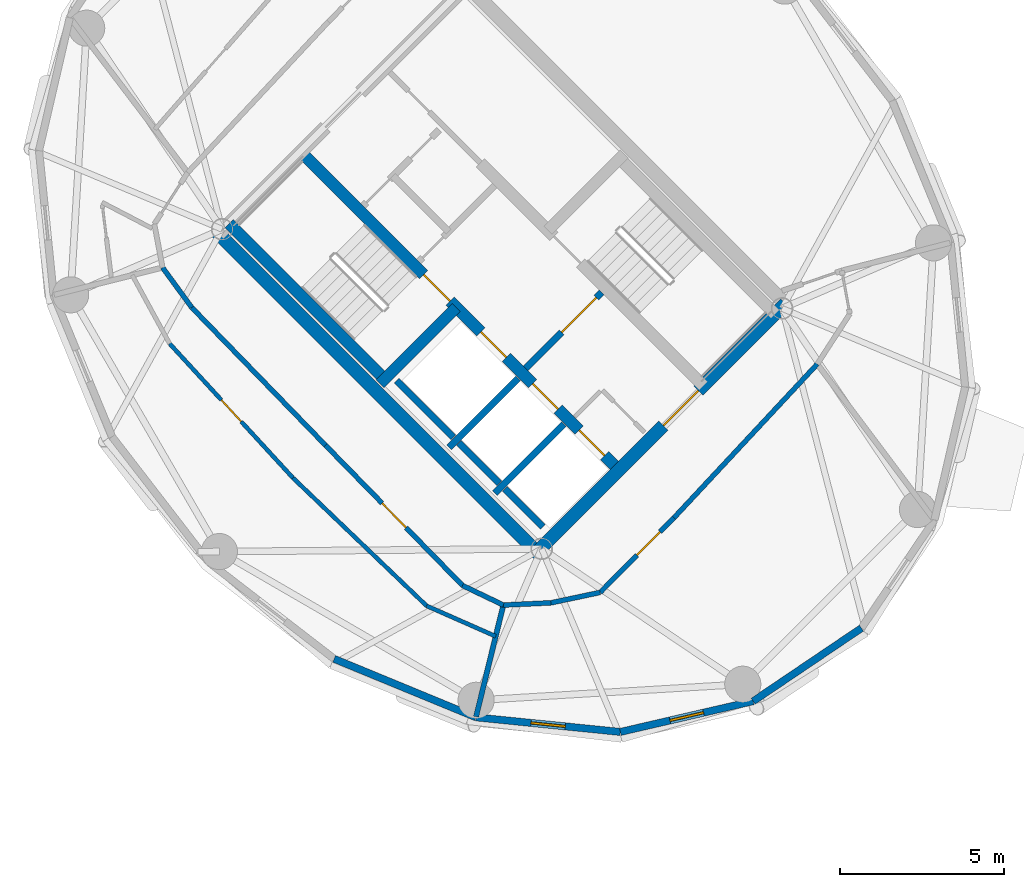
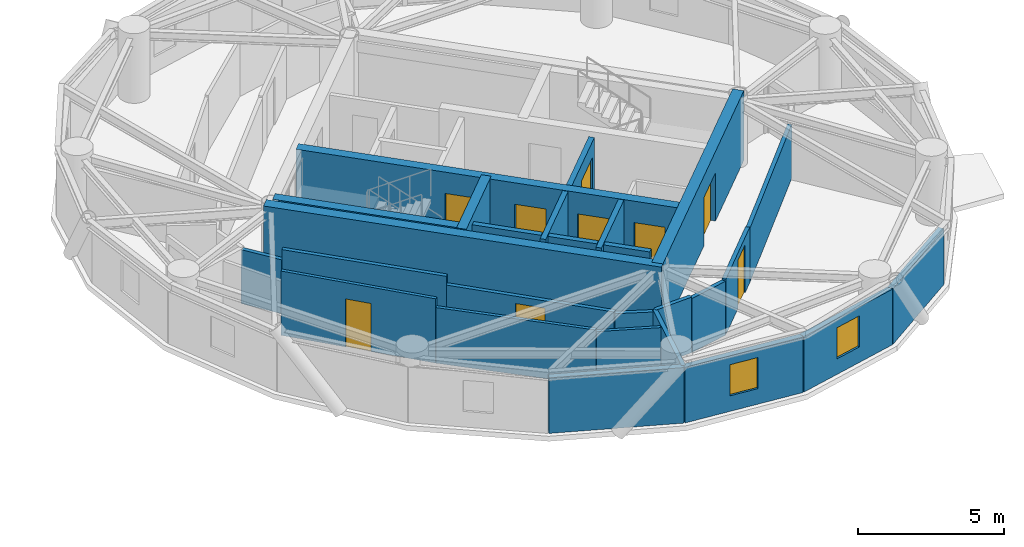
# One storey, part 10 of 16: 27 walls, 9 doors, 2 windows, 11 openings.
"""IFC4 building model written with IfcOpenShell, lengths in metres."""

from ifc_helpers import new_model, si_unit, direction, frame, frame_2d, origin, place, context, subcontext, project, spatial, rectangle, extrude, source, transform, mapped, material, layer, layer_set, type_object, element, fill, save


model = new_model("IFC4")

# Units and contexts
model_context = context("Model", 3, precision=1e-05, world=origin(), true_north=direction((0.0, 1.0)))
body_context = subcontext(model_context, "Body", "Model", "MODEL_VIEW")
ifc_project = project(units=[si_unit("LENGTHUNIT", "METRE"), si_unit("AREAUNIT", "SQUARE_METRE"), si_unit("VOLUMEUNIT", "CUBIC_METRE"), si_unit("PLANEANGLEUNIT", "RADIAN"), si_unit("MASSUNIT", "GRAM", prefix="KILO")], contexts=[model_context])

# Site, building, storey
site_placement = place(None, origin())
site = spatial("IfcSite", under=ifc_project, at=site_placement, CompositionType="ELEMENT")
building_placement = place(site_placement, origin())
building = spatial("IfcBuilding", under=site, at=building_placement, Name="Cununo Teusaquillo Station Towers", CompositionType="ELEMENT")
storey_placement = place(building_placement, frame((0.0, 0.0, 217.030029296875)))
storey = spatial("IfcBuildingStorey", under=building, at=storey_placement, Name="L69", CompositionType="ELEMENT", Elevation=217.030029296875)

# Walls
ifc_material_1 = material(Name="Concrete C50/60", Category="concrete")
ifc_layer_1 = layer(ifc_material_1, 0.199951171875)
ifc_layer_set_1 = layer_set([ifc_layer_1], Name="Concrete C50/60")
wall_type_1 = type_object("IfcWallType", Name="WL-CORE-200", PredefinedType="SHEAR", material=ifc_layer_set_1)
wall_1_placement = place(storey_placement, frame((55.8876953125, 19.0693359375, 0.0), z_axis=(0.0, 0.0, 1.0), x_axis=(0.707106781187, 0.707106781187, 0.0)))
element("IfcWall", 1, at=wall_1_placement, inside=storey, type_object=wall_type_1, Name="L69 Tower B Firefighting Lift Shaft South Shear Wall", PredefinedType="SHEAR", context=body_context, shape_type="SweptSolid", body=[
    extrude(rectangle(XDim=2.969970703125, YDim=0.199951171875, at=frame_2d((1.48486328125, 0.0))), origin(), (0.0, 0.0, 1.0), 2.909912109375),
])
wall_2_placement = place(storey_placement, frame((56.01513671875, 19.366455078125, 0.0), z_axis=(0.0, 0.0, 1.0), x_axis=(-0.707106781187, 0.707106781187, 0.0)))
element("IfcWall", 2, at=wall_2_placement, inside=storey, type_object=wall_type_1, Name="L69 Tower B Firefighting Lift Shaft Rear Shear Wall", PredefinedType="SHEAR", context=body_context, shape_type="SweptSolid", body=[
    extrude(rectangle(XDim=2.43994140625, YDim=0.199951171875, at=frame_2d((1.219970703125, 0.0))), origin(), (0.0, 0.0, 1.0), 2.909912109375),
])
wall_3_placement = place(storey_placement, frame((57.2841796875, 17.6728515625, 0.0), z_axis=(0.0, 0.0, 1.0), x_axis=(0.707147878904, 0.70706568108, 0.0)))
element("IfcWall", 3, at=wall_3_placement, inside=storey, type_object=wall_type_1, Name="L69 Tower B High-Rise Lift Hoistway Divider Shear Wall", PredefinedType="SHEAR", context=body_context, shape_type="SweptSolid", body=[
    extrude(rectangle(XDim=2.97021484375, YDim=0.199951171875, at=frame_2d((1.485107421875, 0.0))), origin(), (0.0, 0.0, 1.0), 2.909912109375),
])
wall_4_placement = place(storey_placement, frame((57.41162109375, 17.969970703125, 0.0), z_axis=(0.0, 0.0, 1.0), x_axis=(-0.707106781187, 0.707106781187, 0.0)))
element("IfcWall", 4, at=wall_4_placement, inside=storey, type_object=wall_type_1, Name="L69 Tower B High-Rise Lift 2 Shaft Rear Shear Wall", PredefinedType="SHEAR", context=body_context, shape_type="SweptSolid", body=[
    extrude(rectangle(XDim=1.73486328125, YDim=0.199951171875, at=frame_2d((0.867431640625, 0.0))), origin(), (0.0, 0.0, 1.0), 2.909912109375),
])
wall_5_placement = place(storey_placement, frame((58.7373046875, 16.64404296875, 0.0), z_axis=(0.0, 0.0, 1.0), x_axis=(-0.707032117043, 0.707181437447, 0.0)))
element("IfcWall", 5, at=wall_5_placement, inside=storey, type_object=wall_type_1, Name="L69 Tower B High-Rise Lift 1 Shaft Rear Shear Wall", PredefinedType="SHEAR", context=body_context, shape_type="SweptSolid", body=[
    extrude(rectangle(XDim=1.635009765625, YDim=0.199951171875, at=frame_2d((0.8173828125, 0.0))), origin(), (0.0, 0.0, 1.0), 2.909912109375),
])

# Wall, openings, doors
ifc_material_2 = material(Name="Concrete C50/60", Category="concrete")
ifc_layer_2 = layer(ifc_material_2, 0.35009765625)
ifc_layer_set_2 = layer_set([ifc_layer_2], Name="Concrete C50/60")
wall_type_2 = type_object("IfcWallType", Name="WL-CORE-350", PredefinedType="SHEAR", material=ifc_layer_set_2)
wall_6_placement = place(storey_placement, frame((61.060302734375, 18.372802734375, 0.0), z_axis=(0.0, 0.0, 1.0), x_axis=(-0.707106781187, 0.707106781187, 0.0)))
wall_6 = element("IfcWall", 6, at=wall_6_placement, inside=storey, type_object=wall_type_2, Name="L69 Tower B Core Shear Wall IW", PredefinedType="SHEAR", context=body_context, shape_type="SweptSolid", body=[
    extrude(rectangle(XDim=13.7001953125, YDim=0.35009765625, at=frame_2d((6.85009765625, 0.0))), origin(), (0.0, 0.0, 1.0), 2.909912109375),
])
shared_shape_1 = source(origin(), body_context, "Body", "SweptSolid", [
    extrude(rectangle(XDim=1.10009765625, YDim=2.014892578125, at=frame_2d((0.550048828125, 1.00732421875))), frame((0.0, 0.18505859375, 0.0), z_axis=(0.0, -1.0, 0.0), x_axis=(1.0, 0.0, 0.0)), (0.0, 0.0, 1.0), 0.3701171875),
])
opening_1_placement = place(wall_6_placement, frame((4.85009765625, 0.0, 0.0)))
opening_1 = element("IfcOpeningElement", 7, at=opening_1_placement, cuts=wall_6, Name="Opening LD-01", PredefinedType="OPENING", context=body_context, shape_type="MappedRepresentation", body=[
    mapped(shared_shape_1, transform((0.0, 0.0, 0.0), x_axis=(1.0, 0.0, 0.0), y_axis=(0.0, 1.0, 0.0), z_axis=(0.0, 0.0, 1.0), scale=1.0)),
])
opening_2_placement = place(wall_6_placement, frame((0.625, 0.0, 0.0)))
opening_2 = element("IfcOpeningElement", 8, at=opening_2_placement, cuts=wall_6, Name="Opening LD-01", PredefinedType="OPENING", context=body_context, shape_type="MappedRepresentation", body=[
    mapped(shared_shape_1, transform((0.0, 0.0, 0.0), x_axis=(1.0, 0.0, 0.0), y_axis=(0.0, 1.0, 0.0), z_axis=(0.0, 0.0, 1.0), scale=1.0)),
])
opening_3_placement = place(wall_6_placement, frame((2.625, 0.0, 0.0)))
opening_3 = element("IfcOpeningElement", 9, at=opening_3_placement, cuts=wall_6, Name="Opening LD-01", PredefinedType="OPENING", context=body_context, shape_type="MappedRepresentation", body=[
    mapped(shared_shape_1, transform((0.0, 0.0, 0.0), x_axis=(1.0, 0.0, 0.0), y_axis=(0.0, 1.0, 0.0), z_axis=(0.0, 0.0, 1.0), scale=1.0)),
])
shared_shape_2 = source(origin(), body_context, "Body", "SweptSolid", [
    extrude(rectangle(XDim=1.14990234375, YDim=2.02001953125, at=frame_2d((0.574951171875, 1.010009765625))), frame((0.0, 0.18505859375, 0.0), z_axis=(0.0, -1.0, 0.0), x_axis=(1.0, 0.0, 0.0)), (0.0, 0.0, 1.0), 0.3701171875),
])
opening_4_placement = place(wall_6_placement, frame((7.27001953125, 0.0, 0.0)))
opening_4 = element("IfcOpeningElement", 10, at=opening_4_placement, cuts=wall_6, Name="Opening D-ST1", PredefinedType="OPENING", context=body_context, shape_type="MappedRepresentation", body=[
    mapped(shared_shape_2, transform((0.0, 0.0, 0.0), x_axis=(1.0, 0.0, 0.0), y_axis=(0.0, 1.0, 0.0), z_axis=(0.0, 0.0, 1.0), scale=1.0)),
])
ifc_material_3 = material(Name="Galvanised fire-rated hollow steel door assembly", Category="steel")
door_type_1 = type_object("IfcDoorType", Name="DR-LIFT-1100", OperationType="SLIDING_TO_LEFT", PredefinedType="DOOR", material=ifc_material_3)
shared_shape_3 = source(origin(), body_context, "Body", "SweptSolid", [
    extrude(rectangle(XDim=1.10009765625, YDim=2.014892578125, at=frame_2d((0.550048828125, 1.00732421875))), frame((0.0, 0.02490234375, 0.0), z_axis=(0.0, -1.0, 0.0), x_axis=(1.0, 0.0, 0.0)), (0.0, 0.0, 1.0), 0.050048828125),
])
door_1_placement = place(opening_1_placement, origin())
door_1 = element("IfcDoor", 11, at=door_1_placement, inside=storey, type_object=door_type_1, Name="L69 Lift FL-T2 Sliding Landing Door", OperationType="SLIDING_TO_LEFT", OverallHeight=2.014892578125, OverallWidth=1.10009765625, PredefinedType="DOOR", context=body_context, shape_type="MappedRepresentation", body=[
    mapped(shared_shape_3, transform((0.0, 0.0, 0.0), x_axis=(1.0, 0.0, 0.0), y_axis=(0.0, 1.0, 0.0), z_axis=(0.0, 0.0, 1.0), scale=1.0)),
])
fill(opening_1, door_1)
door_2_placement = place(opening_2_placement, origin())
door_2 = element("IfcDoor", 12, at=door_2_placement, inside=storey, type_object=door_type_1, Name="L69 Lift PL-T2-H1 Sliding Landing Door", OperationType="SLIDING_TO_LEFT", OverallHeight=2.014892578125, OverallWidth=1.10009765625, PredefinedType="DOOR", context=body_context, shape_type="MappedRepresentation", body=[
    mapped(shared_shape_3, transform((0.0, 0.0, 0.0), x_axis=(1.0, 0.0, 0.0), y_axis=(0.0, 1.0, 0.0), z_axis=(0.0, 0.0, 1.0), scale=1.0)),
])
fill(opening_2, door_2)
door_3_placement = place(opening_3_placement, origin())
door_3 = element("IfcDoor", 13, at=door_3_placement, inside=storey, type_object=door_type_1, Name="L69 Lift PL-T2-H2 Sliding Landing Door", OperationType="SLIDING_TO_RIGHT", OverallHeight=2.014892578125, OverallWidth=1.10009765625, PredefinedType="DOOR", context=body_context, shape_type="MappedRepresentation", body=[
    mapped(shared_shape_3, transform((0.0, 0.0, 0.0), x_axis=(1.0, 0.0, 0.0), y_axis=(0.0, 1.0, 0.0), z_axis=(0.0, 0.0, 1.0), scale=1.0)),
])
fill(opening_3, door_3)
ifc_material_4 = material(Name="Galvanised fire-rated hollow steel door assembly", Category="steel")
door_type_2 = type_object("IfcDoorType", Name="DR-STAIR-1150", OperationType="NOTDEFINED", PredefinedType="DOOR", material=ifc_material_4)
shared_shape_4 = source(origin(), body_context, "Body", "SweptSolid", [
    extrude(rectangle(XDim=1.14990234375, YDim=2.02001953125, at=frame_2d((0.574951171875, 1.010009765625))), frame((0.0, 0.02490234375, 0.0), z_axis=(0.0, -1.0, 0.0), x_axis=(1.0, 0.0, 0.0)), (0.0, 0.0, 1.0), 0.050048828125),
])
door_4_placement = place(opening_4_placement, origin())
door_4 = element("IfcDoor", 14, at=door_4_placement, inside=storey, type_object=door_type_2, Name="L69 Tower B Exit Stair 1 Fire Door", OperationType="SINGLE_SWING_LEFT", OverallHeight=2.02001953125, OverallWidth=1.14990234375, PredefinedType="DOOR", context=body_context, shape_type="MappedRepresentation", body=[
    mapped(shared_shape_4, transform((0.0, 0.0, 0.0), x_axis=(1.0, 0.0, 0.0), y_axis=(0.0, 1.0, 0.0), z_axis=(0.0, 0.0, 1.0), scale=1.0)),
])
fill(opening_4, door_4)

# Walls
wall_7_placement = place(storey_placement, frame((53.922119140625, 21.14111328125, 0.0), z_axis=(0.0, 0.0, 1.0), x_axis=(-0.707106781187, 0.707106781187, 0.0)))
element("IfcWall", 15, at=wall_7_placement, inside=storey, type_object=wall_type_2, Name="L69 Tower B Core Shear Wall ST1W", PredefinedType="SHEAR", context=body_context, shape_type="SweptSolid", body=[
    extrude(rectangle(XDim=6.695068359375, YDim=0.35009765625, at=frame_2d((3.34765625, 0.0))), origin(), (0.0, 0.0, 1.0), 2.909912109375),
])
wall_8_placement = place(storey_placement, frame((53.7841796875, 21.00341796875, 0.0), z_axis=(0.0, 0.0, 1.0), x_axis=(0.707106781187, 0.707106781187, 0.0)))
element("IfcWall", 16, at=wall_8_placement, inside=storey, type_object=wall_type_2, Name="L69 Tower B Core Shear Wall ST1S", PredefinedType="SHEAR", context=body_context, shape_type="SweptSolid", body=[
    extrude(rectangle(XDim=3.284912109375, YDim=0.35009765625, at=frame_2d((1.642578125, 0.0))), origin(), (0.0, 0.0, 1.0), 2.909912109375),
])
ifc_material_5 = material(Name="Concrete C50/60", Category="concrete")
ifc_layer_3 = layer(ifc_material_5, 0.39990234375)
ifc_layer_set_3 = layer_set([ifc_layer_3], Name="Concrete C50/60")
wall_type_3 = type_object("IfcWallType", Name="WL-CORE-400", PredefinedType="SHEAR", material=ifc_layer_set_3)
wall_9_placement = place(storey_placement, frame((58.7021484375, 15.73193359375, 0.0), z_axis=(0.0, 0.0, 1.0), x_axis=(-0.707106781187, 0.707106781187, 0.0)))
element("IfcWall", 17, at=wall_9_placement, inside=storey, type_object=wall_type_3, Name="L69 Tower B Core Shear Wall W", PredefinedType="SHEAR", context=body_context, shape_type="SweptSolid", body=[
    extrude(rectangle(XDim=14.10009765625, YDim=0.39990234375, at=frame_2d((7.050048828125, 0.0))), origin(), (0.0, 0.0, 1.0), 2.909912109375),
])

# Wall, opening, door
wall_10_placement = place(storey_placement, frame((58.560791015625, 15.873291015625, 0.0), z_axis=(0.0, 0.0, 1.0), x_axis=(0.707106781187, 0.707106781187, 0.0)))
wall_10 = element("IfcWall", 18, at=wall_10_placement, inside=storey, type_object=wall_type_3, Name="L69 Tower B Core Shear Wall S", PredefinedType="SHEAR", context=body_context, shape_type="SweptSolid", body=[
    extrude(rectangle(XDim=10.69970703125, YDim=0.39990234375, at=frame_2d((5.349853515625, 0.0))), origin(), (0.0, 0.0, 1.0), 2.909912109375),
])
shared_shape_5 = source(origin(), body_context, "Body", "SweptSolid", [
    extrude(rectangle(XDim=1.5, YDim=2.02001953125, at=frame_2d((0.75, 1.010009765625))), frame((0.0, 0.2099609375, 0.0), z_axis=(0.0, -1.0, 0.0), x_axis=(1.0, 0.0, 0.0)), (0.0, 0.0, 1.0), 0.419921875),
])
opening_5_placement = place(wall_10_placement, frame((5.449951171875, 0.0, 0.0)))
opening_5 = element("IfcOpeningElement", 19, at=opening_5_placement, cuts=wall_10, Name="Opening D-LB1", PredefinedType="OPENING", context=body_context, shape_type="MappedRepresentation", body=[
    mapped(shared_shape_5, transform((0.0, 0.0, 0.0), x_axis=(1.0, 0.0, 0.0), y_axis=(0.0, 1.0, 0.0), z_axis=(0.0, 0.0, 1.0), scale=1.0)),
])
ifc_material_6 = material(Name="Galvanised fire-rated hollow steel door assembly", Category="steel")
door_type_3 = type_object("IfcDoorType", Name="DR-LOBBY-1500", OperationType="DOUBLE_DOOR_SINGLE_SWING", PredefinedType="DOOR", material=ifc_material_6)
shared_shape_6 = source(origin(), body_context, "Body", "SweptSolid", [
    extrude(rectangle(XDim=1.5, YDim=2.02001953125, at=frame_2d((0.75, 1.010009765625))), frame((0.0, 0.02490234375, 0.0), z_axis=(0.0, -1.0, 0.0), x_axis=(1.0, 0.0, 0.0)), (0.0, 0.0, 1.0), 0.050048828125),
])
door_5_placement = place(opening_5_placement, origin())
door_5 = element("IfcDoor", 20, at=door_5_placement, inside=storey, type_object=door_type_3, Name="L69 Tower B South Core Lift Lobby Door", OperationType="DOUBLE_DOOR_SINGLE_SWING", OverallHeight=2.02001953125, OverallWidth=1.5, PredefinedType="DOOR", context=body_context, shape_type="MappedRepresentation", body=[
    mapped(shared_shape_6, transform((0.0, 0.0, 0.0), x_axis=(1.0, 0.0, 0.0), y_axis=(0.0, 1.0, 0.0), z_axis=(0.0, 0.0, 1.0), scale=1.0)),
])
fill(opening_5, door_5)

# Wall
ifc_material_7 = material(Name="Precast concrete C40/50", Category="concrete")
ifc_layer_4 = layer(ifc_material_7, 0.219970703125)
ifc_layer_set_4 = layer_set([ifc_layer_4], Name="Precast concrete C40/50")
wall_type_4 = type_object("IfcWallType", Name="WL-EXT-220", PredefinedType="SOLIDWALL", material=ifc_layer_set_4)
wall_11_placement = place(storey_placement, frame((56.70458984375, 10.84521484375, 0.0), z_axis=(0.0, 0.0, 1.0), x_axis=(-0.924447353237, 0.381309704956, 0.0)))
element("IfcWall", 21, at=wall_11_placement, inside=storey, type_object=wall_type_4, Name="L69 Tower B Exterior Facade Wall C11", PredefinedType="SOLIDWALL", context=body_context, shape_type="SweptSolid", body=[
    extrude(rectangle(XDim=4.670654296875, YDim=0.219970703125, at=frame_2d((2.33544921875, 0.0))), origin(), (0.0, 0.0, 1.0), 2.322021484375),
])

# Wall, opening, window
wall_12_placement = place(storey_placement, frame((61.100341796875, 10.40087890625, 0.0), z_axis=(0.0, 0.0, 1.0), x_axis=(-0.994929930991, 0.100570534541, 0.0)))
wall_12 = element("IfcWall", 22, at=wall_12_placement, inside=storey, type_object=wall_type_4, Name="L69 Tower B Exterior Facade Wall C12", PredefinedType="SOLIDWALL", context=body_context, shape_type="SweptSolid", body=[
    extrude(rectangle(XDim=4.418212890625, YDim=0.219970703125, at=frame_2d((2.208984375, 0.0))), origin(), (0.0, 0.0, 1.0), 2.322021484375),
])
shared_shape_7 = source(origin(), body_context, "Body", "SweptSolid", [
    extrude(rectangle(XDim=1.050048828125, YDim=1.300048828125, at=frame_2d((0.52490234375, 0.64990234375))), frame((0.0, 0.119873046875, 0.0), z_axis=(0.0, -1.0, 0.0), x_axis=(1.0, 0.0, 0.0)), (0.0, 0.0, 1.0), 0.239990234375),
])
opening_6_placement = place(wall_12_placement, frame((1.68408203125, 0.0, 0.64990234375)))
opening_6 = element("IfcOpeningElement", 23, at=opening_6_placement, cuts=wall_12, Name="Opening WN-04", PredefinedType="OPENING", context=body_context, shape_type="MappedRepresentation", body=[
    mapped(shared_shape_7, transform((0.0, 0.0, 0.0), x_axis=(1.0, 0.0, 0.0), y_axis=(0.0, 1.0, 0.0), z_axis=(0.0, 0.0, 1.0), scale=1.0)),
])
ifc_material_8 = material(Name="Operable acoustic tinted low-E double glazing", Category="glass")
window_type = type_object("IfcWindowType", Name="WIN-BAL-1050", PartitioningType="SINGLE_PANEL", PredefinedType="WINDOW", material=ifc_material_8)
shared_shape_8 = source(origin(), body_context, "Body", "SweptSolid", [
    extrude(rectangle(XDim=1.050048828125, YDim=1.300048828125, at=frame_2d((0.52490234375, 0.64990234375))), frame((0.0, 0.030029296875, 0.0), z_axis=(0.0, -1.0, 0.0), x_axis=(1.0, 0.0, 0.0)), (0.0, 0.0, 1.0), 0.06005859375),
])
window_1_placement = place(opening_6_placement, origin())
window_1 = element("IfcWindow", 24, at=window_1_placement, inside=storey, type_object=window_type, Name="L69 Tower B Facade Window C12", OverallHeight=1.300048828125, OverallWidth=1.050048828125, PartitioningType="SINGLE_PANEL", PredefinedType="WINDOW", context=body_context, shape_type="MappedRepresentation", body=[
    mapped(shared_shape_8, transform((0.0, 0.0, 0.0), x_axis=(1.0, 0.0, 0.0), y_axis=(0.0, 1.0, 0.0), z_axis=(0.0, 0.0, 1.0), scale=1.0)),
])
fill(opening_6, window_1)

wall_13_placement = place(storey_placement, frame((65.143798828125, 11.336669921875, 0.0), z_axis=(0.0, 0.0, 1.0), x_axis=(-0.974249228678, -0.225473813158, 0.0)))
wall_13 = element("IfcWall", 25, at=wall_13_placement, inside=storey, type_object=wall_type_4, Name="L69 Tower B Exterior Facade Wall C13", PredefinedType="SOLIDWALL", context=body_context, shape_type="SweptSolid", body=[
    extrude(rectangle(XDim=4.150390625, YDim=0.219970703125, at=frame_2d((2.0751953125, 0.0))), origin(), (0.0, 0.0, 1.0), 2.322021484375),
])
opening_7_placement = place(wall_13_placement, frame((1.550048828125, 0.0, 0.64990234375)))
opening_7 = element("IfcOpeningElement", 26, at=opening_7_placement, cuts=wall_13, Name="Opening WN-04", PredefinedType="OPENING", context=body_context, shape_type="MappedRepresentation", body=[
    mapped(shared_shape_7, transform((0.0, 0.0, 0.0), x_axis=(1.0, 0.0, 0.0), y_axis=(0.0, 1.0, 0.0), z_axis=(0.0, 0.0, 1.0), scale=1.0)),
])
window_2_placement = place(opening_7_placement, origin())
window_2 = element("IfcWindow", 27, at=window_2_placement, inside=storey, type_object=window_type, Name="L69 Tower B Facade Window C13", OverallHeight=1.300048828125, OverallWidth=1.050048828125, PartitioningType="SINGLE_PANEL", PredefinedType="WINDOW", context=body_context, shape_type="MappedRepresentation", body=[
    mapped(shared_shape_8, transform((0.0, 0.0, 0.0), x_axis=(1.0, 0.0, 0.0), y_axis=(0.0, 1.0, 0.0), z_axis=(0.0, 0.0, 1.0), scale=1.0)),
])
fill(opening_7, window_2)

# Wall
wall_14_placement = place(storey_placement, frame((68.43896484375, 13.56103515625, 0.0), z_axis=(0.0, 0.0, 1.0), x_axis=(-0.828833723692, -0.559495003079, 0.0)))
element("IfcWall", 28, at=wall_14_placement, inside=storey, type_object=wall_type_4, Name="L69 Tower B Exterior Facade Wall C14", PredefinedType="SOLIDWALL", context=body_context, shape_type="SweptSolid", body=[
    extrude(rectangle(XDim=3.9755859375, YDim=0.219970703125, at=frame_2d((1.98779296875, 0.0))), origin(), (0.0, 0.0, 1.0), 2.322021484375),
])

# Wall, opening, door
ifc_material_9 = material(Name="Fire-rated gypsum plasterboard partition assembly", Category="gypsum")
ifc_layer_5 = layer(ifc_material_9, 0.125)
ifc_layer_set_5 = layer_set([ifc_layer_5], Name="Fire-rated gypsum plasterboard partition assembly")
wall_type_5 = type_object("IfcWallType", Name="WL-PART-125", PredefinedType="PARTITIONING", material=ifc_layer_set_5)
wall_15_placement = place(storey_placement, frame((47.377197265625, 22.22314453125, 0.0), z_axis=(0.0, 0.0, 1.0), x_axis=(0.676554417653, -0.736392639802, 0.0)))
wall_15 = element("IfcWall", 29, at=wall_15_placement, inside=storey, type_object=wall_type_5, Name="L69 Tower B Cordillera Pinnacle Club Concentric Partition Wall C09", PredefinedType="PARTITIONING", context=body_context, shape_type="SweptSolid", body=[
    extrude(rectangle(XDim=5.552978515625, YDim=0.125, at=frame_2d((2.7763671875, 0.0))), origin(), (0.0, 0.0, 1.0), 2.68505859375),
])
shared_shape_9 = source(origin(), body_context, "Body", "SweptSolid", [
    extrude(rectangle(XDim=0.89990234375, YDim=2.0048828125, at=frame_2d((0.449951171875, 1.00244140625))), frame((0.0, 0.072509765625, 0.0), z_axis=(0.0, -1.0, 0.0), x_axis=(1.0, 0.0, 0.0)), (0.0, 0.0, 1.0), 0.14501953125),
])
opening_8_placement = place(wall_15_placement, frame((2.326416015625, 0.0, 0.0)))
opening_8 = element("IfcOpeningElement", 30, at=opening_8_placement, cuts=wall_15, Name="Opening D-IN1", PredefinedType="OPENING", context=body_context, shape_type="MappedRepresentation", body=[
    mapped(shared_shape_9, transform((0.0, 0.0, 0.0), x_axis=(1.0, 0.0, 0.0), y_axis=(0.0, 1.0, 0.0), z_axis=(0.0, 0.0, 1.0), scale=1.0)),
])
ifc_material_10 = material(Name="Acoustic solid-core hardwood leaf assembly", Category="wood")
door_type_4 = type_object("IfcDoorType", Name="DR-INT-900", OperationType="NOTDEFINED", PredefinedType="DOOR", material=ifc_material_10)
shared_shape_10 = source(origin(), body_context, "Body", "SweptSolid", [
    extrude(rectangle(XDim=0.89990234375, YDim=2.0048828125, at=frame_2d((0.449951171875, 1.00244140625))), frame((0.0, 0.02490234375, 0.0), z_axis=(0.0, -1.0, 0.0), x_axis=(1.0, 0.0, 0.0)), (0.0, 0.0, 1.0), 0.050048828125),
])
door_6_placement = place(opening_8_placement, origin())
door_6 = element("IfcDoor", 31, at=door_6_placement, inside=storey, type_object=door_type_4, Name="L69 Tower B Cordillera Pinnacle Club Connecting Door", OperationType="SINGLE_SWING_LEFT", OverallHeight=2.0048828125, OverallWidth=0.89990234375, PredefinedType="DOOR", context=body_context, shape_type="MappedRepresentation", body=[
    mapped(shared_shape_10, transform((0.0, 0.0, 0.0), x_axis=(1.0, 0.0, 0.0), y_axis=(0.0, 1.0, 0.0), z_axis=(0.0, 0.0, 1.0), scale=1.0)),
])
fill(opening_8, door_6)

# Walls
wall_16_placement = place(storey_placement, frame((51.134033203125, 18.134033203125, 0.0), z_axis=(0.0, 0.0, 1.0), x_axis=(0.722450775654, -0.691422357721, 0.0)))
element("IfcWall", 32, at=wall_16_placement, inside=storey, type_object=wall_type_5, Name="L69 Tower B Cordillera Pinnacle Club Concentric Partition Wall C10", PredefinedType="PARTITIONING", context=body_context, shape_type="SweptSolid", body=[
    extrude(rectangle(XDim=5.6337890625, YDim=0.125, at=frame_2d((2.81689453125, 0.0))), origin(), (0.0, 0.0, 1.0), 2.322021484375),
])
wall_17_placement = place(storey_placement, frame((55.2041015625, 14.23876953125, 0.0), z_axis=(0.0, 0.0, 1.0), x_axis=(0.914999746908, -0.403454412738, 0.0)))
element("IfcWall", 33, at=wall_17_placement, inside=storey, type_object=wall_type_5, Name="L69 Tower B Cordillera Pinnacle Club Concentric Partition Wall C11", PredefinedType="PARTITIONING", context=body_context, shape_type="SweptSolid", body=[
    extrude(rectangle(XDim=2.297119140625, YDim=0.125, at=frame_2d((1.1484375, 0.0))), origin(), (0.0, 0.0, 1.0), 2.2548828125),
])
ifc_material_11 = material(Name="Fire-rated gypsum plasterboard partition assembly", Category="gypsum")
ifc_layer_6 = layer(ifc_material_11, 0.14990234375)
ifc_layer_set_6 = layer_set([ifc_layer_6], Name="Fire-rated gypsum plasterboard partition assembly")
wall_type_6 = type_object("IfcWallType", Name="WL-PART-150", PredefinedType="PARTITIONING", material=ifc_layer_set_6)
wall_18_placement = place(storey_placement, frame((47.162841796875, 24.539794921875, 0.0), z_axis=(0.0, 0.0, 1.0), x_axis=(0.589711902124, -0.807613690135, 0.0)))
element("IfcWall", 34, at=wall_18_placement, inside=storey, type_object=wall_type_6, Name="L69 Tower B Corridor Ring Wall C08", PredefinedType="PARTITIONING", context=body_context, shape_type="SweptSolid", body=[
    extrude(rectangle(XDim=1.507080078125, YDim=0.14990234375, at=frame_2d((0.75341796875, 0.0))), origin(), (0.0, 0.0, 1.0), 2.2548828125),
])
wall_19_placement = place(storey_placement, frame((48.051513671875, 23.32275390625, 0.0), z_axis=(0.0, 0.0, 1.0), x_axis=(0.696573981306, -0.717484974454, 0.0)))
element("IfcWall", 35, at=wall_19_placement, inside=storey, type_object=wall_type_6, Name="L69 Tower B Corridor Ring Wall C09", PredefinedType="PARTITIONING", context=body_context, shape_type="SweptSolid", body=[
    extrude(rectangle(XDim=5.849365234375, YDim=0.14990234375, at=frame_2d((2.9248046875, 0.0))), origin(), (0.0, 0.0, 1.0), 2.68505859375),
])

# Wall, opening, door
wall_20_placement = place(storey_placement, frame((52.1259765625, 19.1259765625, 0.0), z_axis=(0.0, 0.0, 1.0), x_axis=(0.698979087027, -0.715142108884, 0.0)))
wall_20 = element("IfcWall", 36, at=wall_20_placement, inside=storey, type_object=wall_type_6, Name="L69 Tower B Corridor Ring Wall C10", PredefinedType="PARTITIONING", context=body_context, shape_type="SweptSolid", body=[
    extrude(rectangle(XDim=5.96630859375, YDim=0.14990234375, at=frame_2d((2.983154296875, 0.0))), origin(), (0.0, 0.0, 1.0), 2.322021484375),
])
shared_shape_11 = source(origin(), body_context, "Body", "SweptSolid", [
    extrude(rectangle(XDim=1.050048828125, YDim=2.014892578125, at=frame_2d((0.52490234375, 1.00732421875))), frame((0.0, 0.0849609375, 0.0), z_axis=(0.0, -1.0, 0.0), x_axis=(1.0, 0.0, 0.0)), (0.0, 0.0, 1.0), 0.169921875),
])
opening_9_placement = place(wall_20_placement, frame((2.458251953125, 0.0, 0.0)))
opening_9 = element("IfcOpeningElement", 37, at=opening_9_placement, cuts=wall_20, Name="Opening D-SU1", PredefinedType="OPENING", context=body_context, shape_type="MappedRepresentation", body=[
    mapped(shared_shape_11, transform((0.0, 0.0, 0.0), x_axis=(1.0, 0.0, 0.0), y_axis=(0.0, 1.0, 0.0), z_axis=(0.0, 0.0, 1.0), scale=1.0)),
])
ifc_material_12 = material(Name="Acoustic solid-core hardwood leaf assembly", Category="wood")
door_type_5 = type_object("IfcDoorType", Name="DR-SUITE-1050", OperationType="NOTDEFINED", PredefinedType="DOOR", material=ifc_material_12)
shared_shape_12 = source(origin(), body_context, "Body", "SweptSolid", [
    extrude(rectangle(XDim=1.050048828125, YDim=2.014892578125, at=frame_2d((0.52490234375, 1.00732421875))), frame((0.0, 0.02490234375, 0.0), z_axis=(0.0, -1.0, 0.0), x_axis=(1.0, 0.0, 0.0)), (0.0, 0.0, 1.0), 0.050048828125),
])
door_7_placement = place(opening_9_placement, origin())
door_7 = element("IfcDoor", 38, at=door_7_placement, inside=storey, type_object=door_type_5, Name="L69 Tower B Cordillera Pinnacle Club Entrance Door", OperationType="SINGLE_SWING_RIGHT", OverallHeight=2.014892578125, OverallWidth=1.050048828125, PredefinedType="DOOR", context=body_context, shape_type="MappedRepresentation", body=[
    mapped(shared_shape_12, transform((0.0, 0.0, 0.0), x_axis=(1.0, 0.0, 0.0), y_axis=(0.0, 1.0, 0.0), z_axis=(0.0, 0.0, 1.0), scale=1.0)),
])
fill(opening_9, door_7)

# Walls
wall_21_placement = place(storey_placement, frame((56.29638671875, 14.859130859375, 0.0), z_axis=(0.0, 0.0, 1.0), x_axis=(0.90178292445, -0.432189260823, 0.0)))
element("IfcWall", 39, at=wall_21_placement, inside=storey, type_object=wall_type_6, Name="L69 Tower B Corridor Ring Wall C11", PredefinedType="PARTITIONING", context=body_context, shape_type="SweptSolid", body=[
    extrude(rectangle(XDim=1.377197265625, YDim=0.14990234375, at=frame_2d((0.6884765625, 0.0))), origin(), (0.0, 0.0, 1.0), 2.2548828125),
])
wall_22_placement = place(storey_placement, frame((57.538330078125, 14.263916015625, 0.0), z_axis=(0.0, 0.0, 1.0), x_axis=(0.99892990172, 0.046249880546, 0.0)))
element("IfcWall", 40, at=wall_22_placement, inside=storey, type_object=wall_type_6, Name="L69 Tower B Corridor Ring Wall C12", PredefinedType="PARTITIONING", context=body_context, shape_type="SweptSolid", body=[
    extrude(rectangle(XDim=1.4462890625, YDim=0.14990234375, at=frame_2d((0.72314453125, 0.0))), origin(), (0.0, 0.0, 1.0), 2.322021484375),
])
wall_23_placement = place(storey_placement, frame((58.983154296875, 14.330810546875, 0.0), z_axis=(0.0, 0.0, 1.0), x_axis=(0.978328007546, 0.207061125397, 0.0)))
element("IfcWall", 41, at=wall_23_placement, inside=storey, type_object=wall_type_6, Name="L69 Tower B Corridor Ring Wall C13", PredefinedType="PARTITIONING", context=body_context, shape_type="SweptSolid", body=[
    extrude(rectangle(XDim=1.533935546875, YDim=0.14990234375, at=frame_2d((0.76708984375, 0.0))), origin(), (0.0, 0.0, 1.0), 2.2548828125),
])

# Wall, opening, door
wall_24_placement = place(storey_placement, frame((60.48388671875, 14.6484375, 0.0), z_axis=(0.0, 0.0, 1.0), x_axis=(0.703398221944, 0.710795991383, 0.0)))
wall_24 = element("IfcWall", 42, at=wall_24_placement, inside=storey, type_object=wall_type_6, Name="L69 Tower B Corridor Ring Wall C14", PredefinedType="PARTITIONING", context=body_context, shape_type="SweptSolid", body=[
    extrude(rectangle(XDim=3.201171875, YDim=0.14990234375, at=frame_2d((1.6005859375, 0.0))), origin(), (0.0, 0.0, 1.0), 2.322021484375),
])
shared_shape_13 = source(origin(), body_context, "Body", "SweptSolid", [
    extrude(rectangle(XDim=1.0, YDim=2.014892578125, at=frame_2d((0.5, 1.00732421875))), frame((0.0, 0.0849609375, 0.0), z_axis=(0.0, -1.0, 0.0), x_axis=(1.0, 0.0, 0.0)), (0.0, 0.0, 1.0), 0.169921875),
])
opening_10_placement = place(wall_24_placement, frame((1.591064453125, 0.0, 0.0)))
opening_10 = element("IfcOpeningElement", 43, at=opening_10_placement, cuts=wall_24, Name="Opening D-AC1", PredefinedType="OPENING", context=body_context, shape_type="MappedRepresentation", body=[
    mapped(shared_shape_13, transform((0.0, 0.0, 0.0), x_axis=(1.0, 0.0, 0.0), y_axis=(0.0, 1.0, 0.0), z_axis=(0.0, 0.0, 1.0), scale=1.0)),
])
ifc_material_13 = material(Name="Acoustic solid-core hardwood leaf assembly", Category="wood")
door_type_6 = type_object("IfcDoorType", Name="DR-ACC-1000", OperationType="NOTDEFINED", PredefinedType="DOOR", material=ifc_material_13)
shared_shape_14 = source(origin(), body_context, "Body", "SweptSolid", [
    extrude(rectangle(XDim=1.0, YDim=2.014892578125, at=frame_2d((0.5, 1.00732421875))), frame((0.0, 0.02490234375, 0.0), z_axis=(0.0, -1.0, 0.0), x_axis=(1.0, 0.0, 0.0)), (0.0, 0.0, 1.0), 0.050048828125),
])
door_8_placement = place(opening_10_placement, origin())
door_8 = element("IfcDoor", 44, at=door_8_placement, inside=storey, type_object=door_type_6, Name="L69 Tower B Public Accessible Restroom WC Entrance Door", OperationType="SINGLE_SWING_RIGHT", OverallHeight=2.014892578125, OverallWidth=1.0, PredefinedType="DOOR", context=body_context, shape_type="MappedRepresentation", body=[
    mapped(shared_shape_14, transform((0.0, 0.0, 0.0), x_axis=(1.0, 0.0, 0.0), y_axis=(0.0, 1.0, 0.0), z_axis=(0.0, 0.0, 1.0), scale=1.0)),
])
fill(opening_10, door_8)

# Walls
wall_25_placement = place(storey_placement, frame((62.735595703125, 16.923828125, 0.0), z_axis=(0.0, 0.0, 1.0), x_axis=(0.681946700833, 0.731401871219, 0.0)))
element("IfcWall", 45, at=wall_25_placement, inside=storey, type_object=wall_type_6, Name="L69 Tower B Corridor Ring Wall C15", PredefinedType="PARTITIONING", context=body_context, shape_type="SweptSolid", body=[
    extrude(rectangle(XDim=6.392822265625, YDim=0.14990234375, at=frame_2d((3.1962890625, 0.0))), origin(), (0.0, 0.0, 1.0), 2.2548828125),
])
ifc_material_14 = material(Name="Fire-rated gypsum plasterboard partition assembly", Category="gypsum")
ifc_layer_7 = layer(ifc_material_14, 0.159912109375)
ifc_layer_set_7 = layer_set([ifc_layer_7], Name="Fire-rated gypsum plasterboard partition assembly")
wall_type_7 = type_object("IfcWallType", Name="WL-PART-160", PredefinedType="PARTITIONING", material=ifc_layer_set_7)
wall_26_placement = place(storey_placement, frame((57.538330078125, 14.263916015625, 0.0), z_axis=(0.0, 0.0, 1.0), x_axis=(-0.237377006249, -0.971417601706, 0.0)))
element("IfcWall", 46, at=wall_26_placement, inside=storey, type_object=wall_type_7, Name="L69 Tower B Radial Suite Partition R04", PredefinedType="PARTITIONING", context=body_context, shape_type="SweptSolid", body=[
    extrude(rectangle(XDim=3.4990234375, YDim=0.159912109375, at=frame_2d((1.74951171875, 0.0))), origin(), (0.0, 0.0, 1.0), 2.322021484375),
])

# Wall, opening, door
ifc_material_15 = material(Name="Fire-rated gypsum plasterboard partition assembly", Category="gypsum")
ifc_layer_8 = layer(ifc_material_15, 0.199951171875)
ifc_layer_set_8 = layer_set([ifc_layer_8], Name="Fire-rated gypsum plasterboard partition assembly")
wall_type_8 = type_object("IfcWallType", Name="WL-PART-200", PredefinedType="PARTITIONING", material=ifc_layer_set_8)
wall_27_placement = place(storey_placement, frame((58.214111328125, 21.466552734375, 0.0), z_axis=(0.0, 0.0, 1.0), x_axis=(0.707106781187, 0.707106781187, 0.0)))
wall_27 = element("IfcWall", 47, at=wall_27_placement, inside=storey, type_object=wall_type_8, Name="L69 Tower B Firefighting Lift Lobby South Fire Wall", PredefinedType="PARTITIONING", context=body_context, shape_type="SweptSolid", body=[
    extrude(rectangle(XDim=3.280029296875, YDim=0.199951171875, at=frame_2d((1.64013671875, 0.0))), origin(), (0.0, 0.0, 1.0), 2.68505859375),
])
shared_shape_15 = source(origin(), body_context, "Body", "SweptSolid", [
    extrude(rectangle(XDim=1.5, YDim=2.02001953125, at=frame_2d((0.75, 1.010009765625))), frame((0.0, 0.10986328125, 0.0), z_axis=(0.0, -1.0, 0.0), x_axis=(1.0, 0.0, 0.0)), (0.0, 0.0, 1.0), 0.219970703125),
])
opening_11_placement = place(wall_27_placement, frame((1.550048828125, 0.0, 0.0)))
opening_11 = element("IfcOpeningElement", 48, at=opening_11_placement, cuts=wall_27, Name="Opening D-LB1", PredefinedType="OPENING", context=body_context, shape_type="MappedRepresentation", body=[
    mapped(shared_shape_15, transform((0.0, 0.0, 0.0), x_axis=(1.0, 0.0, 0.0), y_axis=(0.0, 1.0, 0.0), z_axis=(0.0, 0.0, 1.0), scale=1.0)),
])
door_9_placement = place(opening_11_placement, origin())
door_9 = element("IfcDoor", 49, at=door_9_placement, inside=storey, type_object=door_type_3, Name="L69 Tower B Firefighting Lift Lobby South Fire Door", OperationType="DOUBLE_DOOR_SINGLE_SWING", OverallHeight=2.02001953125, OverallWidth=1.5, PredefinedType="DOOR", context=body_context, shape_type="MappedRepresentation", body=[
    mapped(shared_shape_6, transform((0.0, 0.0, 0.0), x_axis=(1.0, 0.0, 0.0), y_axis=(0.0, 1.0, 0.0), z_axis=(0.0, 0.0, 1.0), scale=1.0)),
])
fill(opening_11, door_9)

save(model, "model.ifc")
